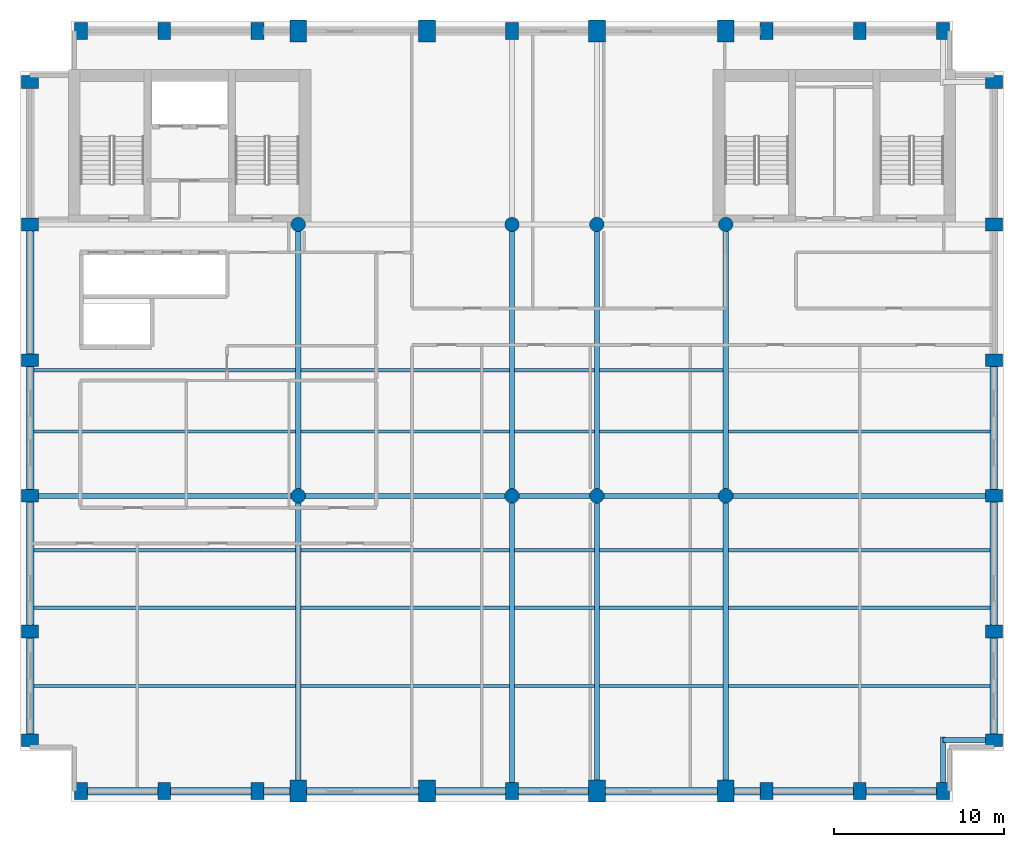
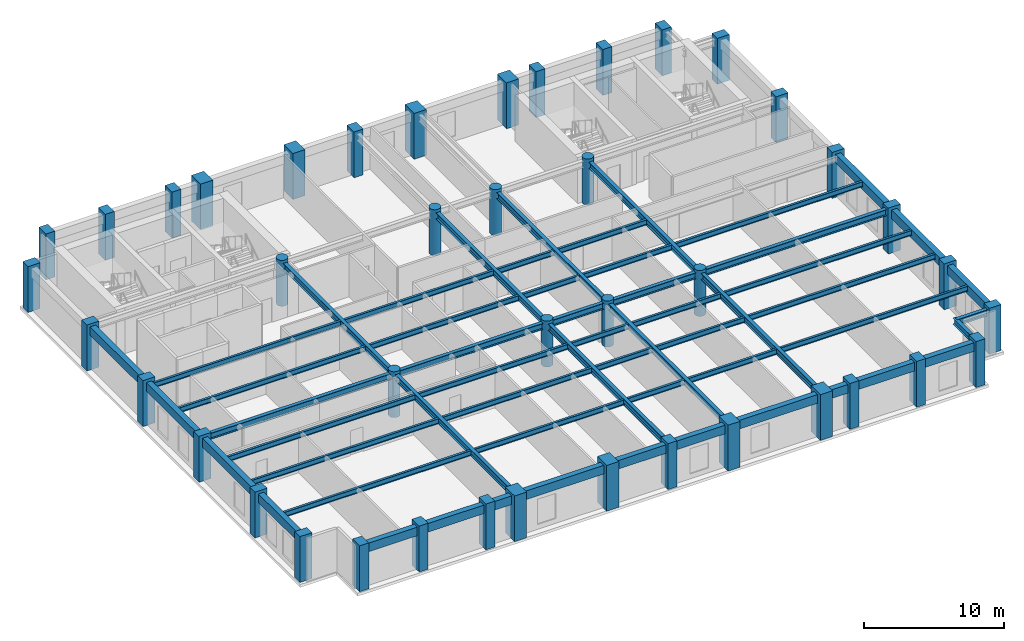
# One storey, part 1 of 8: 56 beams, 42 columns.
"""IFC4 building model written with IfcOpenShell, lengths in metres."""

from ifc_helpers import new_model, si_unit, direction, frame, origin, origin_2d, place, context, subcontext, project, spatial, rectangle, circle, i_section, extrude, material, material_profile, profile_set, type_object, element, save


model = new_model("IFC4")

# Units and contexts
model_context = context("Model", 3, precision=1e-05, world=origin(), true_north=direction((0.0, 1.0)))
body_context = subcontext(model_context, "Body", "Model", "MODEL_VIEW")
ifc_project = project(units=[si_unit("LENGTHUNIT", "METRE"), si_unit("AREAUNIT", "SQUARE_METRE"), si_unit("VOLUMEUNIT", "CUBIC_METRE"), si_unit("PLANEANGLEUNIT", "RADIAN"), si_unit("MASSUNIT", "GRAM", prefix="KILO")], contexts=[model_context])

# Site, building, storey
site_placement = place(None, origin())
site = spatial("IfcSite", under=ifc_project, at=site_placement, CompositionType="ELEMENT")
building_placement = place(site_placement, origin())
building = spatial("IfcBuilding", under=site, at=building_placement, Name="Sulina Concourse Tower", CompositionType="ELEMENT")
storey_placement = place(building_placement, frame((0.0, 0.0, 260.60009765625)))
storey = spatial("IfcBuildingStorey", under=building, at=storey_placement, Name="L63", CompositionType="ELEMENT", Elevation=260.60009765625)

# Columns
ifc_material_1 = material(Name="Precast concrete C50/60", Category="concrete")
ifc_material_profile_1 = material_profile(ifc_material_1, rectangle(XDim=0.75, YDim=1.0, at=origin_2d()), Name="PC 750x1000")
ifc_profile_set_1 = profile_set([ifc_material_profile_1], Name="Precast concrete C50/60")
column_type_1 = type_object("IfcColumnType", Name="Precast Tube Pier Zone 4 750x1000", PredefinedType="COLUMN", material=ifc_profile_set_1)
for number, where, z_axis, x_axis, name in (
    (1, (3.60009765625, 0.60009765625, 0.0), (0.0, 0.0, 1.0), (1.0, 0.0, 0.0), "L63 structural column TP-S-36"),
    (2, (3.60009765625, 45.39990234375, 0.0), (0.0, 0.0, 1.0), (1.0, 0.0, 0.0), "L63 structural column TP-N-36"),
    (3, (8.5, 0.60009765625, 0.0), (0.0, 0.0, 1.0), (1.0, 0.0, 0.0), "L63 structural column TP-S-85"),
    (4, (8.5, 45.39990234375, 0.0), (0.0, 0.0, 1.0), (1.0, 0.0, 0.0), "L63 structural column TP-N-85"),
    (5, (14.0, 0.60009765625, 0.0), (0.0, 0.0, 1.0), (1.0, 0.0, 0.0), "L63 structural column TP-S-140"),
    (6, (14.0, 45.39990234375, 0.0), (0.0, 0.0, 1.0), (1.0, 0.0, 0.0), "L63 structural column TP-N-140"),
    (7, (29.0, 0.60009765625, 0.0), (0.0, 0.0, 1.0), (1.0, 0.0, 0.0), "L63 structural column TP-S-290"),
    (8, (29.0, 45.39990234375, 0.0), (0.0, 0.0, 1.0), (1.0, 0.0, 0.0), "L63 structural column TP-N-290"),
    (9, (44.0, 0.60009765625, 0.0), (0.0, 0.0, 1.0), (1.0, 0.0, 0.0), "L63 structural column TP-S-440"),
    (10, (44.0, 45.39990234375, 0.0), (0.0, 0.0, 1.0), (1.0, 0.0, 0.0), "L63 structural column TP-N-440"),
    (11, (49.5, 0.60009765625, 0.0), (0.0, 0.0, 1.0), (1.0, 0.0, 0.0), "L63 structural column TP-S-495"),
    (12, (49.5, 45.39990234375, 0.0), (0.0, 0.0, 1.0), (1.0, 0.0, 0.0), "L63 structural column TP-N-495"),
    (13, (54.39990234375, 0.60009765625, 0.0), (0.0, 0.0, 1.0), (1.0, 0.0, 0.0), "L63 structural column TP-S-544"),
    (14, (54.39990234375, 45.39990234375, 0.0), (0.0, 0.0, 1.0), (1.0, 0.0, 0.0), "L63 structural column TP-N-544"),
    (15, (0.60009765625, 3.60009765625, 0.0), (0.0, 0.0, 1.0), (0.0, 1.0, 0.0), "L63 structural column TP-W-36"),
    (16, (57.39990234375, 3.60009765625, 0.0), (0.0, 0.0, 1.0), (0.0, 1.0, 0.0), "L63 structural column TP-E-36"),
    (17, (0.60009765625, 10.0, 0.0), (0.0, 0.0, 1.0), (0.0, 1.0, 0.0), "L63 structural column TP-W-100"),
    (18, (57.39990234375, 10.0, 0.0), (0.0, 0.0, 1.0), (0.0, 1.0, 0.0), "L63 structural column TP-E-100"),
    (19, (0.60009765625, 18.0, 0.0), (0.0, 0.0, 1.0), (0.0, 1.0, 0.0), "L63 structural column TP-W-180"),
    (20, (57.39990234375, 18.0, 0.0), (0.0, 0.0, 1.0), (0.0, 1.0, 0.0), "L63 structural column TP-E-180"),
    (21, (0.60009765625, 26.0, 0.0), (0.0, 0.0, 1.0), (0.0, 1.0, 0.0), "L63 structural column TP-W-260"),
    (22, (57.39990234375, 26.0, 0.0), (0.0, 0.0, 1.0), (0.0, 1.0, 0.0), "L63 structural column TP-E-260"),
    (23, (0.60009765625, 34.0, 0.0), (0.0, 0.0, 1.0), (0.0, 1.0, 0.0), "L63 structural column TP-W-340"),
    (24, (57.39990234375, 34.0, 0.0), (0.0, 0.0, 1.0), (0.0, 1.0, 0.0), "L63 structural column TP-E-340"),
    (25, (0.60009765625, 42.39990234375, 0.0), (0.0, 0.0, 1.0), (0.0, 1.0, 0.0), "L63 structural column TP-W-424"),
    (26, (57.39990234375, 42.39990234375, 0.0), (0.0, 0.0, 1.0), (0.0, 1.0, 0.0), "L63 structural column TP-E-424"),
):
    element("IfcColumn", number, at=place(storey_placement, frame(where, z_axis=z_axis, x_axis=x_axis)), inside=storey, type_object=column_type_1, Name=name, PredefinedType="COLUMN", context=body_context, shape_type="SweptSolid", body=[
        extrude(rectangle(XDim=0.75, YDim=1.0, at=origin_2d()), origin(), (0.0, 0.0, 1.0), 4.0),
    ])
ifc_material_2 = material(Name="Concrete C50/60", Category="concrete")
ifc_material_profile_2 = material_profile(ifc_material_2, circle(Radius=0.425048828125, at=origin_2d()), Name="RC D850")
ifc_profile_set_2 = profile_set([ifc_material_profile_2], Name="Concrete C50/60")
column_type_2 = type_object("IfcColumnType", Name="Upper Interior Circular Column D850", PredefinedType="COLUMN", material=ifc_profile_set_2)
for number, where, z_axis, x_axis, name in (
    (27, (16.39990234375, 18.0, 0.0), (0.0, 0.0, 1.0), (1.0, 0.0, 0.0), "L63 structural column IC-M-164"),
    (28, (16.39990234375, 34.0, 0.0), (0.0, 0.0, 1.0), (1.0, 0.0, 0.0), "L63 structural column IC-N-164"),
    (29, (29.0, 18.0, 0.0), (0.0, 0.0, 1.0), (1.0, 0.0, 0.0), "L63 structural column IC-M-290"),
    (30, (29.0, 34.0, 0.0), (0.0, 0.0, 1.0), (1.0, 0.0, 0.0), "L63 structural column IC-N-290"),
    (31, (41.60009765625, 18.0, 0.0), (0.0, 0.0, 1.0), (1.0, 0.0, 0.0), "L63 structural column IC-M-416"),
    (32, (41.60009765625, 34.0, 0.0), (0.0, 0.0, 1.0), (1.0, 0.0, 0.0), "L63 structural column IC-N-416"),
    (33, (34.0, 18.0, 0.0), (0.0, 0.0, 1.0), (1.0, 0.0, 0.0), "L63 structural column IC-M-340"),
    (34, (34.0, 34.0, 0.0), (0.0, 0.0, 1.0), (1.0, 0.0, 0.0), "L63 structural column IC-N-340"),
):
    element("IfcColumn", number, at=place(storey_placement, frame(where, z_axis=z_axis, x_axis=x_axis)), inside=storey, type_object=column_type_2, Name=name, PredefinedType="COLUMN", context=body_context, shape_type="SweptSolid", body=[
        extrude(circle(Radius=0.425048828125, at=origin_2d()), origin(), (0.0, 0.0, 1.0), 4.0),
    ])
ifc_material_3 = material(Name="Concrete C60/75", Category="concrete")
ifc_material_profile_3 = material_profile(ifc_material_3, rectangle(XDim=1.0, YDim=1.300048828125, at=origin_2d()), Name="RC 1000x1300")
ifc_profile_set_3 = profile_set([ifc_material_profile_3], Name="Concrete C60/75")
column_type_3 = type_object("IfcColumnType", Name="Upper Portal Column 1000x1300", PredefinedType="COLUMN", material=ifc_profile_set_3)
for number, where, z_axis, x_axis, name in (
    (35, (16.39990234375, 0.60009765625, 0.0), (0.0, 0.0, 1.0), (1.0, 0.0, 0.0), "L63 structural column TP-S-164"),
    (36, (16.39990234375, 45.39990234375, 0.0), (0.0, 0.0, 1.0), (1.0, 0.0, 0.0), "L63 structural column TP-N-164"),
    (37, (24.0, 0.60009765625, 0.0), (0.0, 0.0, 1.0), (1.0, 0.0, 0.0), "L63 structural column TP-S-240"),
    (38, (24.0, 45.39990234375, 0.0), (0.0, 0.0, 1.0), (1.0, 0.0, 0.0), "L63 structural column TP-N-240"),
    (39, (34.0, 0.60009765625, 0.0), (0.0, 0.0, 1.0), (1.0, 0.0, 0.0), "L63 structural column TP-S-340"),
    (40, (34.0, 45.39990234375, 0.0), (0.0, 0.0, 1.0), (1.0, 0.0, 0.0), "L63 structural column TP-N-340"),
    (41, (41.60009765625, 0.60009765625, 0.0), (0.0, 0.0, 1.0), (1.0, 0.0, 0.0), "L63 structural column TP-S-416"),
    (42, (41.60009765625, 45.39990234375, 0.0), (0.0, 0.0, 1.0), (1.0, 0.0, 0.0), "L63 structural column TP-N-416"),
):
    element("IfcColumn", number, at=place(storey_placement, frame(where, z_axis=z_axis, x_axis=x_axis)), inside=storey, type_object=column_type_3, Name=name, PredefinedType="COLUMN", context=body_context, shape_type="SweptSolid", body=[
        extrude(rectangle(XDim=1.0, YDim=1.300048828125, at=origin_2d()), origin(), (0.0, 0.0, 1.0), 4.0),
    ])

# Beams
ifc_material_4 = material(Name="Steel S355", Category="steel")
ifc_material_profile_4 = material_profile(ifc_material_4, i_section(OverallWidth=0.18994140625, OverallDepth=0.449951171875, WebThickness=0.009521484375, FlangeThickness=0.0146484375, at=origin_2d()), Name="IPE 450")
ifc_profile_set_4 = profile_set([ifc_material_profile_4], Name="Steel S355")
beam_type_1 = type_object("IfcBeamType", Name="Composite Floor Joist IPE450", PredefinedType="JOIST", material=ifc_profile_set_4)
beam_1_placement = place(storey_placement, frame((0.824951171875, 6.800048828125, 3.52490234375), z_axis=(1.0, 0.0, 0.0), x_axis=(0.0, 1.0, 0.0)))
element("IfcBeam", 43, at=beam_1_placement, inside=storey, type_object=beam_type_1, Name="FJ-J06-1-L63", PredefinedType="JOIST", context=body_context, shape_type="SweptSolid", body=[
    extrude(i_section(OverallWidth=0.18994140625, OverallDepth=0.449951171875, WebThickness=0.009521484375, FlangeThickness=0.0146484375, at=origin_2d()), origin(), (0.0, 0.0, 1.0), 15.425048828125),
])
beam_2_placement = place(storey_placement, frame((16.550048828125, 6.800048828125, 3.52490234375), z_axis=(1.0, 0.0, 0.0), x_axis=(0.0, 1.0, 0.0)))
element("IfcBeam", 44, at=beam_2_placement, inside=storey, type_object=beam_type_1, Name="FJ-J06-2-L63", PredefinedType="JOIST", context=body_context, shape_type="SweptSolid", body=[
    extrude(i_section(OverallWidth=0.18994140625, OverallDepth=0.449951171875, WebThickness=0.009521484375, FlangeThickness=0.0146484375, at=origin_2d()), origin(), (0.0, 0.0, 1.0), 12.300048828125),
])
beam_3_placement = place(storey_placement, frame((29.14990234375, 6.800048828125, 3.52490234375), z_axis=(1.0, 0.0, 0.0), x_axis=(0.0, 1.0, 0.0)))
element("IfcBeam", 45, at=beam_3_placement, inside=storey, type_object=beam_type_1, Name="FJ-J06-3-L63", PredefinedType="JOIST", context=body_context, shape_type="SweptSolid", body=[
    extrude(i_section(OverallWidth=0.18994140625, OverallDepth=0.449951171875, WebThickness=0.009521484375, FlangeThickness=0.0146484375, at=origin_2d()), origin(), (0.0, 0.0, 1.0), 4.7001953125),
])
beam_4_placement = place(storey_placement, frame((34.14990234375, 6.800048828125, 3.52490234375), z_axis=(1.0, 0.0, 0.0), x_axis=(0.0, 1.0, 0.0)))
element("IfcBeam", 46, at=beam_4_placement, inside=storey, type_object=beam_type_1, Name="FJ-J06-4-L63", PredefinedType="JOIST", context=body_context, shape_type="SweptSolid", body=[
    extrude(i_section(OverallWidth=0.18994140625, OverallDepth=0.449951171875, WebThickness=0.009521484375, FlangeThickness=0.0146484375, at=origin_2d()), origin(), (0.0, 0.0, 1.0), 7.300048828125),
])
for number, where, z_axis, x_axis, name in (
    (47, (41.75, 6.800048828125, 3.52490234375), (1.0, 0.0, 0.0), (0.0, 1.0, 0.0), "FJ-J06-5-L63"),
    (48, (0.824951171875, 11.39990234375, 3.52490234375), (1.0, 0.0, 0.0), (0.0, 1.0, 0.0), "FJ-J11-1-L63"),
):
    element("IfcBeam", number, at=place(storey_placement, frame(where, z_axis=z_axis, x_axis=x_axis)), inside=storey, type_object=beam_type_1, Name=name, PredefinedType="JOIST", context=body_context, shape_type="SweptSolid", body=[
        extrude(i_section(OverallWidth=0.18994140625, OverallDepth=0.449951171875, WebThickness=0.009521484375, FlangeThickness=0.0146484375, at=origin_2d()), origin(), (0.0, 0.0, 1.0), 15.425048828125),
    ])
beam_5_placement = place(storey_placement, frame((16.550048828125, 11.39990234375, 3.52490234375), z_axis=(1.0, 0.0, 0.0), x_axis=(0.0, 1.0, 0.0)))
element("IfcBeam", 49, at=beam_5_placement, inside=storey, type_object=beam_type_1, Name="FJ-J11-2-L63", PredefinedType="JOIST", context=body_context, shape_type="SweptSolid", body=[
    extrude(i_section(OverallWidth=0.18994140625, OverallDepth=0.449951171875, WebThickness=0.009521484375, FlangeThickness=0.0146484375, at=origin_2d()), origin(), (0.0, 0.0, 1.0), 12.300048828125),
])
beam_6_placement = place(storey_placement, frame((29.14990234375, 11.39990234375, 3.52490234375), z_axis=(1.0, 0.0, 0.0), x_axis=(0.0, 1.0, 0.0)))
element("IfcBeam", 50, at=beam_6_placement, inside=storey, type_object=beam_type_1, Name="FJ-J11-3-L63", PredefinedType="JOIST", context=body_context, shape_type="SweptSolid", body=[
    extrude(i_section(OverallWidth=0.18994140625, OverallDepth=0.449951171875, WebThickness=0.009521484375, FlangeThickness=0.0146484375, at=origin_2d()), origin(), (0.0, 0.0, 1.0), 4.7001953125),
])
beam_7_placement = place(storey_placement, frame((34.14990234375, 11.39990234375, 3.52490234375), z_axis=(1.0, 0.0, 0.0), x_axis=(0.0, 1.0, 0.0)))
element("IfcBeam", 51, at=beam_7_placement, inside=storey, type_object=beam_type_1, Name="FJ-J11-4-L63", PredefinedType="JOIST", context=body_context, shape_type="SweptSolid", body=[
    extrude(i_section(OverallWidth=0.18994140625, OverallDepth=0.449951171875, WebThickness=0.009521484375, FlangeThickness=0.0146484375, at=origin_2d()), origin(), (0.0, 0.0, 1.0), 7.300048828125),
])
for number, where, z_axis, x_axis, name in (
    (52, (41.75, 11.39990234375, 3.52490234375), (1.0, 0.0, 0.0), (0.0, 1.0, 0.0), "FJ-J11-5-L63"),
    (53, (0.824951171875, 14.800048828125, 3.52490234375), (1.0, 0.0, 0.0), (0.0, 1.0, 0.0), "FJ-J15-1-L63"),
):
    element("IfcBeam", number, at=place(storey_placement, frame(where, z_axis=z_axis, x_axis=x_axis)), inside=storey, type_object=beam_type_1, Name=name, PredefinedType="JOIST", context=body_context, shape_type="SweptSolid", body=[
        extrude(i_section(OverallWidth=0.18994140625, OverallDepth=0.449951171875, WebThickness=0.009521484375, FlangeThickness=0.0146484375, at=origin_2d()), origin(), (0.0, 0.0, 1.0), 15.425048828125),
    ])
beam_8_placement = place(storey_placement, frame((16.550048828125, 14.800048828125, 3.52490234375), z_axis=(1.0, 0.0, 0.0), x_axis=(0.0, 1.0, 0.0)))
element("IfcBeam", 54, at=beam_8_placement, inside=storey, type_object=beam_type_1, Name="FJ-J15-2-L63", PredefinedType="JOIST", context=body_context, shape_type="SweptSolid", body=[
    extrude(i_section(OverallWidth=0.18994140625, OverallDepth=0.449951171875, WebThickness=0.009521484375, FlangeThickness=0.0146484375, at=origin_2d()), origin(), (0.0, 0.0, 1.0), 12.300048828125),
])
beam_9_placement = place(storey_placement, frame((29.14990234375, 14.800048828125, 3.52490234375), z_axis=(1.0, 0.0, 0.0), x_axis=(0.0, 1.0, 0.0)))
element("IfcBeam", 55, at=beam_9_placement, inside=storey, type_object=beam_type_1, Name="FJ-J15-3-L63", PredefinedType="JOIST", context=body_context, shape_type="SweptSolid", body=[
    extrude(i_section(OverallWidth=0.18994140625, OverallDepth=0.449951171875, WebThickness=0.009521484375, FlangeThickness=0.0146484375, at=origin_2d()), origin(), (0.0, 0.0, 1.0), 4.7001953125),
])
beam_10_placement = place(storey_placement, frame((34.14990234375, 14.800048828125, 3.52490234375), z_axis=(1.0, 0.0, 0.0), x_axis=(0.0, 1.0, 0.0)))
element("IfcBeam", 56, at=beam_10_placement, inside=storey, type_object=beam_type_1, Name="FJ-J15-4-L63", PredefinedType="JOIST", context=body_context, shape_type="SweptSolid", body=[
    extrude(i_section(OverallWidth=0.18994140625, OverallDepth=0.449951171875, WebThickness=0.009521484375, FlangeThickness=0.0146484375, at=origin_2d()), origin(), (0.0, 0.0, 1.0), 7.300048828125),
])
for number, where, z_axis, x_axis, name in (
    (57, (41.75, 14.800048828125, 3.52490234375), (1.0, 0.0, 0.0), (0.0, 1.0, 0.0), "FJ-J15-5-L63"),
    (58, (0.824951171875, 21.800048828125, 3.52490234375), (1.0, 0.0, 0.0), (0.0, 1.0, 0.0), "FJ-J22-1-L63"),
):
    element("IfcBeam", number, at=place(storey_placement, frame(where, z_axis=z_axis, x_axis=x_axis)), inside=storey, type_object=beam_type_1, Name=name, PredefinedType="JOIST", context=body_context, shape_type="SweptSolid", body=[
        extrude(i_section(OverallWidth=0.18994140625, OverallDepth=0.449951171875, WebThickness=0.009521484375, FlangeThickness=0.0146484375, at=origin_2d()), origin(), (0.0, 0.0, 1.0), 15.425048828125),
    ])
beam_11_placement = place(storey_placement, frame((16.550048828125, 21.800048828125, 3.52490234375), z_axis=(1.0, 0.0, 0.0), x_axis=(0.0, 1.0, 0.0)))
element("IfcBeam", 59, at=beam_11_placement, inside=storey, type_object=beam_type_1, Name="FJ-J22-2-L63", PredefinedType="JOIST", context=body_context, shape_type="SweptSolid", body=[
    extrude(i_section(OverallWidth=0.18994140625, OverallDepth=0.449951171875, WebThickness=0.009521484375, FlangeThickness=0.0146484375, at=origin_2d()), origin(), (0.0, 0.0, 1.0), 12.300048828125),
])
beam_12_placement = place(storey_placement, frame((29.14990234375, 21.800048828125, 3.52490234375), z_axis=(1.0, 0.0, 0.0), x_axis=(0.0, 1.0, 0.0)))
element("IfcBeam", 60, at=beam_12_placement, inside=storey, type_object=beam_type_1, Name="FJ-J22-3-L63", PredefinedType="JOIST", context=body_context, shape_type="SweptSolid", body=[
    extrude(i_section(OverallWidth=0.18994140625, OverallDepth=0.449951171875, WebThickness=0.009521484375, FlangeThickness=0.0146484375, at=origin_2d()), origin(), (0.0, 0.0, 1.0), 4.7001953125),
])
beam_13_placement = place(storey_placement, frame((34.14990234375, 21.800048828125, 3.52490234375), z_axis=(1.0, 0.0, 0.0), x_axis=(0.0, 1.0, 0.0)))
element("IfcBeam", 61, at=beam_13_placement, inside=storey, type_object=beam_type_1, Name="FJ-J22-4-L63", PredefinedType="JOIST", context=body_context, shape_type="SweptSolid", body=[
    extrude(i_section(OverallWidth=0.18994140625, OverallDepth=0.449951171875, WebThickness=0.009521484375, FlangeThickness=0.0146484375, at=origin_2d()), origin(), (0.0, 0.0, 1.0), 7.300048828125),
])
for number, where, z_axis, x_axis, name in (
    (62, (41.75, 21.800048828125, 3.52490234375), (1.0, 0.0, 0.0), (0.0, 1.0, 0.0), "FJ-J22-5-L63"),
    (63, (0.824951171875, 25.39990234375, 3.52490234375), (1.0, 0.0, 0.0), (0.0, 1.0, 0.0), "FJ-J25-1-L63"),
):
    element("IfcBeam", number, at=place(storey_placement, frame(where, z_axis=z_axis, x_axis=x_axis)), inside=storey, type_object=beam_type_1, Name=name, PredefinedType="JOIST", context=body_context, shape_type="SweptSolid", body=[
        extrude(i_section(OverallWidth=0.18994140625, OverallDepth=0.449951171875, WebThickness=0.009521484375, FlangeThickness=0.0146484375, at=origin_2d()), origin(), (0.0, 0.0, 1.0), 15.425048828125),
    ])
beam_14_placement = place(storey_placement, frame((16.550048828125, 25.39990234375, 3.52490234375), z_axis=(1.0, 0.0, 0.0), x_axis=(0.0, 1.0, 0.0)))
element("IfcBeam", 64, at=beam_14_placement, inside=storey, type_object=beam_type_1, Name="FJ-J25-2-L63", PredefinedType="JOIST", context=body_context, shape_type="SweptSolid", body=[
    extrude(i_section(OverallWidth=0.18994140625, OverallDepth=0.449951171875, WebThickness=0.009521484375, FlangeThickness=0.0146484375, at=origin_2d()), origin(), (0.0, 0.0, 1.0), 12.300048828125),
])
beam_15_placement = place(storey_placement, frame((29.14990234375, 25.39990234375, 3.52490234375), z_axis=(1.0, 0.0, 0.0), x_axis=(0.0, 1.0, 0.0)))
element("IfcBeam", 65, at=beam_15_placement, inside=storey, type_object=beam_type_1, Name="FJ-J25-3-L63", PredefinedType="JOIST", context=body_context, shape_type="SweptSolid", body=[
    extrude(i_section(OverallWidth=0.18994140625, OverallDepth=0.449951171875, WebThickness=0.009521484375, FlangeThickness=0.0146484375, at=origin_2d()), origin(), (0.0, 0.0, 1.0), 4.7001953125),
])
beam_16_placement = place(storey_placement, frame((34.14990234375, 25.39990234375, 3.52490234375), z_axis=(1.0, 0.0, 0.0), x_axis=(0.0, 1.0, 0.0)))
element("IfcBeam", 66, at=beam_16_placement, inside=storey, type_object=beam_type_1, Name="FJ-J25-4-L63", PredefinedType="JOIST", context=body_context, shape_type="SweptSolid", body=[
    extrude(i_section(OverallWidth=0.18994140625, OverallDepth=0.449951171875, WebThickness=0.009521484375, FlangeThickness=0.0146484375, at=origin_2d()), origin(), (0.0, 0.0, 1.0), 7.300048828125),
])
ifc_material_5 = material(Name="Steel S355", Category="steel")
ifc_material_profile_5 = material_profile(ifc_material_5, i_section(OverallWidth=0.300048828125, OverallDepth=0.550048828125, WebThickness=0.014892578125, FlangeThickness=0.029052734375, at=origin_2d()), Name="HE 550 B")
ifc_profile_set_5 = profile_set([ifc_material_profile_5], Name="Steel S355")
beam_type_2 = type_object("IfcBeamType", Name="Floor Primary Girder Zone 4 HE550B", PredefinedType="BEAM", material=ifc_profile_set_5)
beam_17_placement = place(storey_placement, frame((54.39990234375, 3.60009765625, 3.474853515625), z_axis=(1.0, 0.0, 0.0), x_axis=(0.0, 1.0, 0.0)))
element("IfcBeam", 67, at=beam_17_placement, inside=storey, type_object=beam_type_2, Name="TIE-SE-L63", PredefinedType="BEAM", context=body_context, shape_type="SweptSolid", body=[
    extrude(i_section(OverallWidth=0.300048828125, OverallDepth=0.550048828125, WebThickness=0.014892578125, FlangeThickness=0.029052734375, at=origin_2d()), origin(), (0.0, 0.0, 1.0), 2.64501953125),
])
beam_18_placement = place(storey_placement, frame((54.39990234375, 0.955078125, 3.474853515625), z_axis=(0.0, 1.0, 0.0), x_axis=(-1.0, 0.0, 0.0)))
element("IfcBeam", 68, at=beam_18_placement, inside=storey, type_object=beam_type_2, Name="TIE-SES-L63", PredefinedType="BEAM", context=body_context, shape_type="SweptSolid", body=[
    extrude(i_section(OverallWidth=0.300048828125, OverallDepth=0.550048828125, WebThickness=0.014892578125, FlangeThickness=0.029052734375, at=origin_2d()), origin(), (0.0, 0.0, 1.0), 2.844970703125),
])
beam_19_placement = place(storey_placement, frame((0.955078125, 18.0, 3.474853515625), z_axis=(1.0, 0.0, 0.0), x_axis=(0.0, 1.0, 0.0)))
element("IfcBeam", 69, at=beam_19_placement, inside=storey, type_object=beam_type_2, Name="FG-EW1-L63", PredefinedType="BEAM", context=body_context, shape_type="SweptSolid", body=[
    extrude(i_section(OverallWidth=0.300048828125, OverallDepth=0.550048828125, WebThickness=0.014892578125, FlangeThickness=0.029052734375, at=origin_2d()), origin(), (0.0, 0.0, 1.0), 15.0400390625),
])
beam_20_placement = place(storey_placement, frame((16.804931640625, 18.0, 3.474853515625), z_axis=(1.0, 0.0, 0.0), x_axis=(0.0, 1.0, 0.0)))
element("IfcBeam", 70, at=beam_20_placement, inside=storey, type_object=beam_type_2, Name="FG-EW2-L63", PredefinedType="BEAM", context=body_context, shape_type="SweptSolid", body=[
    extrude(i_section(OverallWidth=0.300048828125, OverallDepth=0.550048828125, WebThickness=0.014892578125, FlangeThickness=0.029052734375, at=origin_2d()), origin(), (0.0, 0.0, 1.0), 11.7900390625),
])
beam_21_placement = place(storey_placement, frame((29.405029296875, 18.0, 3.474853515625), z_axis=(1.0, 0.0, 0.0), x_axis=(0.0, 1.0, 0.0)))
element("IfcBeam", 71, at=beam_21_placement, inside=storey, type_object=beam_type_2, Name="FG-EW3-L63", PredefinedType="BEAM", context=body_context, shape_type="SweptSolid", body=[
    extrude(i_section(OverallWidth=0.300048828125, OverallDepth=0.550048828125, WebThickness=0.014892578125, FlangeThickness=0.029052734375, at=origin_2d()), origin(), (0.0, 0.0, 1.0), 4.18994140625),
])
beam_22_placement = place(storey_placement, frame((34.405029296875, 18.0, 3.474853515625), z_axis=(1.0, 0.0, 0.0), x_axis=(0.0, 1.0, 0.0)))
element("IfcBeam", 72, at=beam_22_placement, inside=storey, type_object=beam_type_2, Name="FG-EW4-L63", PredefinedType="BEAM", context=body_context, shape_type="SweptSolid", body=[
    extrude(i_section(OverallWidth=0.300048828125, OverallDepth=0.550048828125, WebThickness=0.014892578125, FlangeThickness=0.029052734375, at=origin_2d()), origin(), (0.0, 0.0, 1.0), 6.7900390625),
])
beam_23_placement = place(storey_placement, frame((42.0048828125, 18.0, 3.474853515625), z_axis=(1.0, 0.0, 0.0), x_axis=(0.0, 1.0, 0.0)))
element("IfcBeam", 73, at=beam_23_placement, inside=storey, type_object=beam_type_2, Name="FG-EW5-L63", PredefinedType="BEAM", context=body_context, shape_type="SweptSolid", body=[
    extrude(i_section(OverallWidth=0.300048828125, OverallDepth=0.550048828125, WebThickness=0.014892578125, FlangeThickness=0.029052734375, at=origin_2d()), origin(), (0.0, 0.0, 1.0), 15.0400390625),
])
beam_24_placement = place(storey_placement, frame((16.39990234375, 1.080078125, 3.474853515625), z_axis=(0.0, 1.0, 0.0), x_axis=(-1.0, 0.0, 0.0)))
element("IfcBeam", 74, at=beam_24_placement, inside=storey, type_object=beam_type_2, Name="FG-NSA-16-L63", PredefinedType="BEAM", context=body_context, shape_type="SweptSolid", body=[
    extrude(i_section(OverallWidth=0.300048828125, OverallDepth=0.550048828125, WebThickness=0.014892578125, FlangeThickness=0.029052734375, at=origin_2d()), origin(), (0.0, 0.0, 1.0), 16.514892578125),
])
beam_25_placement = place(storey_placement, frame((16.39990234375, 18.405029296875, 3.474853515625), z_axis=(0.0, 1.0, 0.0), x_axis=(-1.0, 0.0, 0.0)))
element("IfcBeam", 75, at=beam_25_placement, inside=storey, type_object=beam_type_2, Name="FG-NSB-16-L63", PredefinedType="BEAM", context=body_context, shape_type="SweptSolid", body=[
    extrude(i_section(OverallWidth=0.300048828125, OverallDepth=0.550048828125, WebThickness=0.014892578125, FlangeThickness=0.029052734375, at=origin_2d()), origin(), (0.0, 0.0, 1.0), 15.18994140625),
])
beam_26_placement = place(storey_placement, frame((29.0, 0.955078125, 3.474853515625), z_axis=(0.0, 1.0, 0.0), x_axis=(-1.0, 0.0, 0.0)))
element("IfcBeam", 76, at=beam_26_placement, inside=storey, type_object=beam_type_2, Name="FG-NSA-29-L63", PredefinedType="BEAM", context=body_context, shape_type="SweptSolid", body=[
    extrude(i_section(OverallWidth=0.300048828125, OverallDepth=0.550048828125, WebThickness=0.014892578125, FlangeThickness=0.029052734375, at=origin_2d()), origin(), (0.0, 0.0, 1.0), 16.639892578125),
])
beam_27_placement = place(storey_placement, frame((29.0, 18.405029296875, 3.474853515625), z_axis=(0.0, 1.0, 0.0), x_axis=(-1.0, 0.0, 0.0)))
element("IfcBeam", 77, at=beam_27_placement, inside=storey, type_object=beam_type_2, Name="FG-NSB-29-L63", PredefinedType="BEAM", context=body_context, shape_type="SweptSolid", body=[
    extrude(i_section(OverallWidth=0.300048828125, OverallDepth=0.550048828125, WebThickness=0.014892578125, FlangeThickness=0.029052734375, at=origin_2d()), origin(), (0.0, 0.0, 1.0), 15.18994140625),
])
beam_28_placement = place(storey_placement, frame((34.0, 1.080078125, 3.474853515625), z_axis=(0.0, 1.0, 0.0), x_axis=(-1.0, 0.0, 0.0)))
element("IfcBeam", 78, at=beam_28_placement, inside=storey, type_object=beam_type_2, Name="FG-NSA-34-L63", PredefinedType="BEAM", context=body_context, shape_type="SweptSolid", body=[
    extrude(i_section(OverallWidth=0.300048828125, OverallDepth=0.550048828125, WebThickness=0.014892578125, FlangeThickness=0.029052734375, at=origin_2d()), origin(), (0.0, 0.0, 1.0), 16.514892578125),
])
beam_29_placement = place(storey_placement, frame((34.0, 18.405029296875, 3.474853515625), z_axis=(0.0, 1.0, 0.0), x_axis=(-1.0, 0.0, 0.0)))
element("IfcBeam", 79, at=beam_29_placement, inside=storey, type_object=beam_type_2, Name="FG-NSB-34-L63", PredefinedType="BEAM", context=body_context, shape_type="SweptSolid", body=[
    extrude(i_section(OverallWidth=0.300048828125, OverallDepth=0.550048828125, WebThickness=0.014892578125, FlangeThickness=0.029052734375, at=origin_2d()), origin(), (0.0, 0.0, 1.0), 15.18994140625),
])
beam_30_placement = place(storey_placement, frame((41.60009765625, 1.080078125, 3.474853515625), z_axis=(0.0, 1.0, 0.0), x_axis=(-1.0, 0.0, 0.0)))
element("IfcBeam", 80, at=beam_30_placement, inside=storey, type_object=beam_type_2, Name="FG-NSA-41-L63", PredefinedType="BEAM", context=body_context, shape_type="SweptSolid", body=[
    extrude(i_section(OverallWidth=0.300048828125, OverallDepth=0.550048828125, WebThickness=0.014892578125, FlangeThickness=0.029052734375, at=origin_2d()), origin(), (0.0, 0.0, 1.0), 16.514892578125),
])
beam_31_placement = place(storey_placement, frame((41.60009765625, 18.405029296875, 3.474853515625), z_axis=(0.0, 1.0, 0.0), x_axis=(-1.0, 0.0, 0.0)))
element("IfcBeam", 81, at=beam_31_placement, inside=storey, type_object=beam_type_2, Name="FG-NSB-41-L63", PredefinedType="BEAM", context=body_context, shape_type="SweptSolid", body=[
    extrude(i_section(OverallWidth=0.300048828125, OverallDepth=0.550048828125, WebThickness=0.014892578125, FlangeThickness=0.029052734375, at=origin_2d()), origin(), (0.0, 0.0, 1.0), 15.18994140625),
])
ifc_material_6 = material(Name="Precast concrete C50/60", Category="concrete")
ifc_material_profile_6 = material_profile(ifc_material_6, rectangle(XDim=0.449951171875, YDim=0.75, at=origin_2d()), Name="RC 450x750")
ifc_profile_set_6 = profile_set([ifc_material_profile_6], Name="Precast concrete C50/60")
beam_type_3 = type_object("IfcBeamType", Name="Upper Precast Spandrel Edge Beam 450x750", PredefinedType="BEAM", material=ifc_profile_set_6)
beam_32_placement = place(storey_placement, frame((3.955078125, 0.60009765625, 3.375), z_axis=(1.0, 0.0, 0.0), x_axis=(0.0, 1.0, 0.0)))
element("IfcBeam", 82, at=beam_32_placement, inside=storey, type_object=beam_type_3, Name="SP-S1-L63", PredefinedType="BEAM", context=body_context, shape_type="SweptSolid", body=[
    extrude(rectangle(XDim=0.449951171875, YDim=0.75, at=origin_2d()), origin(), (0.0, 0.0, 1.0), 4.18994140625),
])
beam_33_placement = place(storey_placement, frame((8.85498046875, 0.60009765625, 3.375), z_axis=(1.0, 0.0, 0.0), x_axis=(0.0, 1.0, 0.0)))
element("IfcBeam", 83, at=beam_33_placement, inside=storey, type_object=beam_type_3, Name="SP-S2-L63", PredefinedType="BEAM", context=body_context, shape_type="SweptSolid", body=[
    extrude(rectangle(XDim=0.449951171875, YDim=0.75, at=origin_2d()), origin(), (0.0, 0.0, 1.0), 4.7900390625),
])
beam_34_placement = place(storey_placement, frame((14.35498046875, 0.60009765625, 3.375), z_axis=(1.0, 0.0, 0.0), x_axis=(0.0, 1.0, 0.0)))
element("IfcBeam", 84, at=beam_34_placement, inside=storey, type_object=beam_type_3, Name="SP-S3-L63", PredefinedType="BEAM", context=body_context, shape_type="SweptSolid", body=[
    extrude(rectangle(XDim=0.449951171875, YDim=0.75, at=origin_2d()), origin(), (0.0, 0.0, 1.0), 1.56494140625),
])
beam_35_placement = place(storey_placement, frame((16.8798828125, 0.60009765625, 3.375), z_axis=(1.0, 0.0, 0.0), x_axis=(0.0, 1.0, 0.0)))
element("IfcBeam", 85, at=beam_35_placement, inside=storey, type_object=beam_type_3, Name="SP-S4-L63", PredefinedType="BEAM", context=body_context, shape_type="SweptSolid", body=[
    extrude(rectangle(XDim=0.449951171875, YDim=0.75, at=origin_2d()), origin(), (0.0, 0.0, 1.0), 6.64013671875),
])
for number, where, z_axis, x_axis, name in (
    (86, (24.47998046875, 0.60009765625, 3.375), (1.0, 0.0, 0.0), (0.0, 1.0, 0.0), "SP-S5-L63"),
    (87, (29.35498046875, 0.60009765625, 3.375), (1.0, 0.0, 0.0), (0.0, 1.0, 0.0), "SP-S6-L63"),
):
    element("IfcBeam", number, at=place(storey_placement, frame(where, z_axis=z_axis, x_axis=x_axis)), inside=storey, type_object=beam_type_3, Name=name, PredefinedType="BEAM", context=body_context, shape_type="SweptSolid", body=[
        extrude(rectangle(XDim=0.449951171875, YDim=0.75, at=origin_2d()), origin(), (0.0, 0.0, 1.0), 4.1650390625),
    ])
beam_36_placement = place(storey_placement, frame((34.47998046875, 0.60009765625, 3.375), z_axis=(1.0, 0.0, 0.0), x_axis=(0.0, 1.0, 0.0)))
element("IfcBeam", 88, at=beam_36_placement, inside=storey, type_object=beam_type_3, Name="SP-S7-L63", PredefinedType="BEAM", context=body_context, shape_type="SweptSolid", body=[
    extrude(rectangle(XDim=0.449951171875, YDim=0.75, at=origin_2d()), origin(), (0.0, 0.0, 1.0), 6.64013671875),
])
beam_37_placement = place(storey_placement, frame((42.080078125, 0.60009765625, 3.375), z_axis=(1.0, 0.0, 0.0), x_axis=(0.0, 1.0, 0.0)))
element("IfcBeam", 89, at=beam_37_placement, inside=storey, type_object=beam_type_3, Name="SP-S8-L63", PredefinedType="BEAM", context=body_context, shape_type="SweptSolid", body=[
    extrude(rectangle(XDim=0.449951171875, YDim=0.75, at=origin_2d()), origin(), (0.0, 0.0, 1.0), 1.56494140625),
])
beam_38_placement = place(storey_placement, frame((44.35498046875, 0.60009765625, 3.375), z_axis=(1.0, 0.0, 0.0), x_axis=(0.0, 1.0, 0.0)))
element("IfcBeam", 90, at=beam_38_placement, inside=storey, type_object=beam_type_3, Name="SP-S9-L63", PredefinedType="BEAM", context=body_context, shape_type="SweptSolid", body=[
    extrude(rectangle(XDim=0.449951171875, YDim=0.75, at=origin_2d()), origin(), (0.0, 0.0, 1.0), 4.7900390625),
])
beam_39_placement = place(storey_placement, frame((49.85498046875, 0.60009765625, 3.375), z_axis=(1.0, 0.0, 0.0), x_axis=(0.0, 1.0, 0.0)))
element("IfcBeam", 91, at=beam_39_placement, inside=storey, type_object=beam_type_3, Name="SP-S10-L63", PredefinedType="BEAM", context=body_context, shape_type="SweptSolid", body=[
    extrude(rectangle(XDim=0.449951171875, YDim=0.75, at=origin_2d()), origin(), (0.0, 0.0, 1.0), 4.18994140625),
])
beam_40_placement = place(storey_placement, frame((0.60009765625, 3.955078125, 3.375), z_axis=(0.0, 1.0, 0.0), x_axis=(-1.0, 0.0, 0.0)))
element("IfcBeam", 92, at=beam_40_placement, inside=storey, type_object=beam_type_3, Name="SP-W1-L63", PredefinedType="BEAM", context=body_context, shape_type="SweptSolid", body=[
    extrude(rectangle(XDim=0.449951171875, YDim=0.75, at=origin_2d()), origin(), (0.0, 0.0, 1.0), 5.68994140625),
])
for number, where, z_axis, x_axis, name in (
    (93, (0.60009765625, 10.35498046875, 3.375), (0.0, 1.0, 0.0), (-1.0, 0.0, 0.0), "SP-W2-L63"),
    (94, (0.60009765625, 18.35498046875, 3.375), (0.0, 1.0, 0.0), (-1.0, 0.0, 0.0), "SP-W3-L63"),
    (95, (0.60009765625, 26.35498046875, 3.375), (0.0, 1.0, 0.0), (-1.0, 0.0, 0.0), "SP-W4-L63"),
):
    element("IfcBeam", number, at=place(storey_placement, frame(where, z_axis=z_axis, x_axis=x_axis)), inside=storey, type_object=beam_type_3, Name=name, PredefinedType="BEAM", context=body_context, shape_type="SweptSolid", body=[
        extrude(rectangle(XDim=0.449951171875, YDim=0.75, at=origin_2d()), origin(), (0.0, 0.0, 1.0), 7.2900390625),
    ])
beam_41_placement = place(storey_placement, frame((57.39990234375, 3.955078125, 3.375), z_axis=(0.0, 1.0, 0.0), x_axis=(-1.0, 0.0, 0.0)))
element("IfcBeam", 96, at=beam_41_placement, inside=storey, type_object=beam_type_3, Name="SP-E1-L63", PredefinedType="BEAM", context=body_context, shape_type="SweptSolid", body=[
    extrude(rectangle(XDim=0.449951171875, YDim=0.75, at=origin_2d()), origin(), (0.0, 0.0, 1.0), 5.68994140625),
])
for number, where, z_axis, x_axis, name in (
    (97, (57.39990234375, 10.35498046875, 3.375), (0.0, 1.0, 0.0), (-1.0, 0.0, 0.0), "SP-E2-L63"),
    (98, (57.39990234375, 18.35498046875, 3.375), (0.0, 1.0, 0.0), (-1.0, 0.0, 0.0), "SP-E3-L63"),
):
    element("IfcBeam", number, at=place(storey_placement, frame(where, z_axis=z_axis, x_axis=x_axis)), inside=storey, type_object=beam_type_3, Name=name, PredefinedType="BEAM", context=body_context, shape_type="SweptSolid", body=[
        extrude(rectangle(XDim=0.449951171875, YDim=0.75, at=origin_2d()), origin(), (0.0, 0.0, 1.0), 7.2900390625),
    ])

save(model, "model.ifc")
